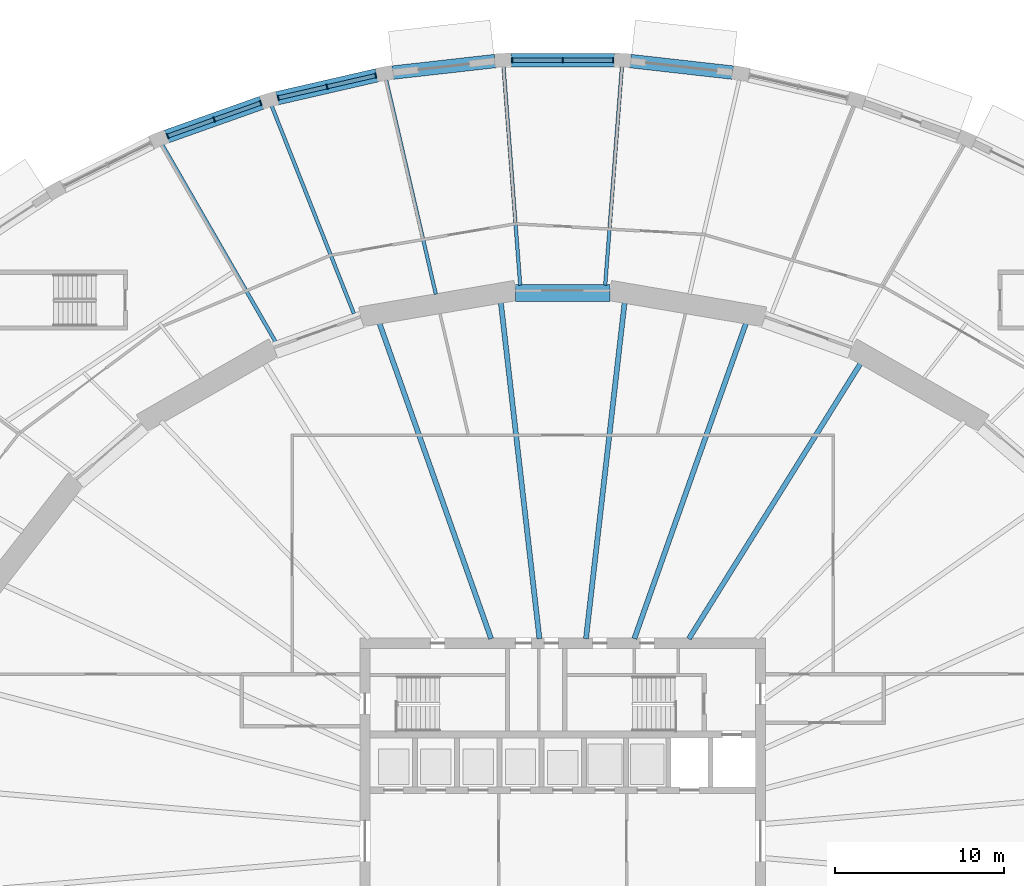
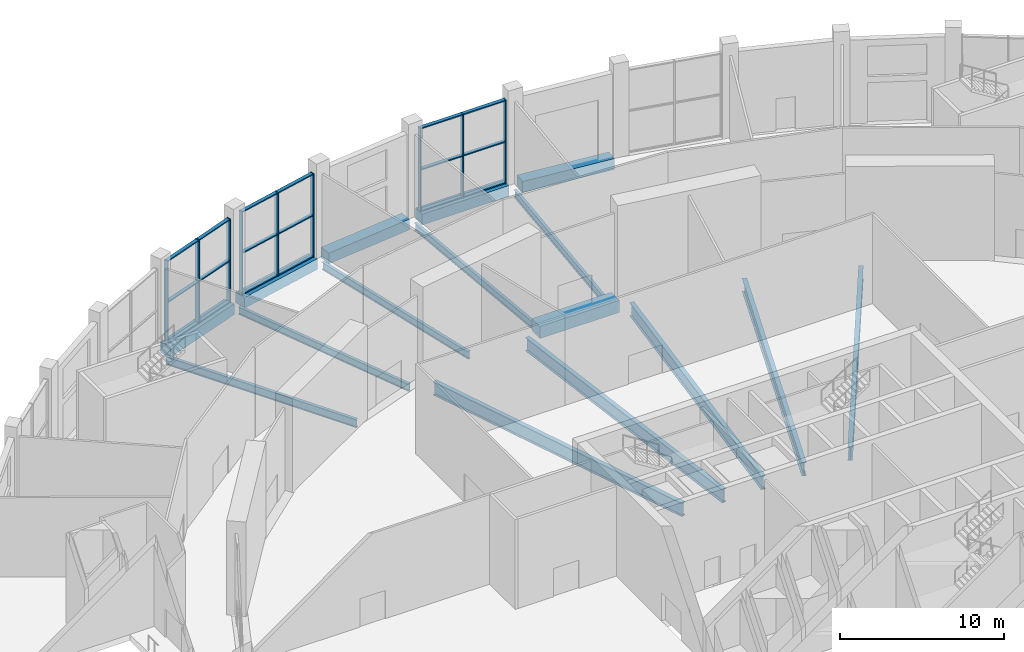
# One storey, part 12 of 33: 27 members, 16 beams, 3 elements without a shape of their own.
"""IFC4 building model written with IfcOpenShell, lengths in metres."""

from ifc_helpers import new_model, si_unit, direction, frame, origin, origin_2d, place, context, subcontext, project, spatial, rectangle, i_section, extrude, material, material_profile, profile_set, type_object, element, aggregate, save


model = new_model("IFC4")

# Units and contexts
model_context = context("Model", 3, precision=1e-05, world=origin(), true_north=direction((0.0, 1.0)))
body_context = subcontext(model_context, "Body", "Model", "MODEL_VIEW")
ifc_project = project(units=[si_unit("LENGTHUNIT", "METRE"), si_unit("AREAUNIT", "SQUARE_METRE"), si_unit("VOLUMEUNIT", "CUBIC_METRE"), si_unit("PLANEANGLEUNIT", "RADIAN"), si_unit("MASSUNIT", "GRAM", prefix="KILO")], contexts=[model_context])

# Site, building, storey
site_placement = place(None, origin())
site = spatial("IfcSite", under=ifc_project, at=site_placement, CompositionType="ELEMENT")
building_placement = place(site_placement, origin())
building = spatial("IfcBuilding", under=site, at=building_placement, Name="Halqa Exchange Tower", CompositionType="ELEMENT")
storey_placement = place(building_placement, origin())
storey = spatial("IfcBuildingStorey", under=building, at=storey_placement, Name="L00", CompositionType="ELEMENT", Elevation=0.0)

# Beams
ifc_material_1 = material(Name="Steel S355", Category="steel")
ifc_material_profile_1 = material_profile(ifc_material_1, i_section(OverallWidth=0.300048828125, OverallDepth=0.989990234375, WebThickness=0.0166015625, FlangeThickness=0.031005859375, FilletRadius=0.030029296875, at=origin_2d()), Name="HEA 1000")
ifc_profile_set_1 = profile_set([ifc_material_profile_1], Name="Steel S355")
beam_type_1 = type_object("IfcBeamType", Name="Floor beam HEA 1000", PredefinedType="BEAM", material=ifc_profile_set_1)
beam_1_placement = place(storey_placement, frame((7.46533203125, 11.971435546875, -0.945068359375), z_axis=(0.529145823441, 0.848530905468, 0.0), x_axis=(-0.848530905468, 0.529145823441, 0.0)))
element("IfcBeam", 1, at=beam_1_placement, inside=storey, type_object=beam_type_1, Name="Radial beam 6", PredefinedType="BEAM", context=body_context, shape_type="SweptSolid", body=[
    extrude(i_section(OverallWidth=0.300048828125, OverallDepth=0.989990234375, WebThickness=0.0166015625, FlangeThickness=0.031005859375, FilletRadius=0.030029296875, at=origin_2d()), origin(), (0.0, 0.0, 1.0), 19.27294921875),
])
ifc_material_profile_2 = material_profile(ifc_material_1, i_section(OverallWidth=0.300048828125, OverallDepth=1.0, WebThickness=0.01904296875, FlangeThickness=0.035888671875, FilletRadius=0.030029296875, at=origin_2d()), Name="HEB 1000")
ifc_profile_set_2 = profile_set([ifc_material_profile_2], Name="Steel S355")
beam_type_2 = type_object("IfcBeamType", Name="Floor beam HEB 1000", PredefinedType="BEAM", material=ifc_profile_set_2)
beam_2_placement = place(storey_placement, frame((4.23681640625, 11.971923828125, -0.949951171875), z_axis=(0.333633039334, 0.942703025913, 0.0), x_axis=(-0.942703025913, 0.333633039334, 0.0)))
element("IfcBeam", 2, at=beam_2_placement, inside=storey, type_object=beam_type_2, Name="Radial beam 7", PredefinedType="BEAM", context=body_context, shape_type="SweptSolid", body=[
    extrude(i_section(OverallWidth=0.300048828125, OverallDepth=1.0, WebThickness=0.01904296875, FlangeThickness=0.035888671875, FilletRadius=0.030029296875, at=origin_2d()), origin(), (0.0, 0.0, 1.0), 19.885009765625),
])
for number, where, z_axis, x_axis, name in (
    (3, (1.375732421875, 11.972900390625, -0.949951171875), (0.114166838833, 0.99346159106, 0.0), (-0.99346159106, 0.114166838833, 0.0), "Radial beam 8"),
    (4, (-1.375732421875, 11.972900390625, -0.949951171875), (-0.114166838833, 0.99346159106, 0.0), (-0.99346159106, -0.114166838833, 0.0), "Radial beam 9"),
):
    element("IfcBeam", number, at=place(storey_placement, frame(where, z_axis=z_axis, x_axis=x_axis)), inside=storey, type_object=beam_type_2, Name=name, PredefinedType="BEAM", context=body_context, shape_type="SweptSolid", body=[
        extrude(i_section(OverallWidth=0.300048828125, OverallDepth=1.0, WebThickness=0.01904296875, FlangeThickness=0.035888671875, FilletRadius=0.030029296875, at=origin_2d()), origin(), (0.0, 0.0, 1.0), 20.103515625),
    ])
beam_3_placement = place(storey_placement, frame((-4.23681640625, 11.971923828125, -0.949951171875), z_axis=(-0.333633039334, 0.942703025913, 0.0), x_axis=(-0.942703025913, -0.333633039334, 0.0)))
element("IfcBeam", 5, at=beam_3_placement, inside=storey, type_object=beam_type_2, Name="Radial beam 10", PredefinedType="BEAM", context=body_context, shape_type="SweptSolid", body=[
    extrude(i_section(OverallWidth=0.300048828125, OverallDepth=1.0, WebThickness=0.01904296875, FlangeThickness=0.035888671875, FilletRadius=0.030029296875, at=origin_2d()), origin(), (0.0, 0.0, 1.0), 19.885009765625),
])
ifc_material_profile_3 = material_profile(ifc_material_1, i_section(OverallWidth=0.2099609375, OverallDepth=0.550048828125, WebThickness=0.010986328125, FlangeThickness=0.01708984375, FilletRadius=0.02392578125, at=origin_2d()), Name="IPE 550")
ifc_profile_set_3 = profile_set([ifc_material_profile_3], Name="Steel S355")
beam_type_3 = type_object("IfcBeamType", Name="Floor beam IPE 550", PredefinedType="BEAM", material=ifc_profile_set_3)
for number, where, z_axis, x_axis, name in (
    (6, (2.513916015625, 32.88623046875, -0.72509765625), (0.076223337155, 0.997090769626, 0.0), (-0.997090769626, 0.076223337155, 0.0), "Radial beam 12"),
    (7, (-2.513916015625, 32.88623046875, -0.72509765625), (-0.076223337155, 0.997090769626, 0.0), (-0.997090769626, -0.076223337155, 0.0), "Radial beam 13"),
):
    element("IfcBeam", number, at=place(storey_placement, frame(where, z_axis=z_axis, x_axis=x_axis)), inside=storey, type_object=beam_type_3, Name=name, PredefinedType="BEAM", context=body_context, shape_type="SweptSolid", body=[
        extrude(i_section(OverallWidth=0.2099609375, OverallDepth=0.550048828125, WebThickness=0.010986328125, FlangeThickness=0.01708984375, FilletRadius=0.02392578125, at=origin_2d()), origin(), (0.0, 0.0, 1.0), 12.981689453125),
    ])
beam_4_placement = place(storey_placement, frame((-7.5048828125, 32.35009765625, -0.72509765625), z_axis=(-0.2259960959, 0.974128207495, 0.0), x_axis=(-0.974128207495, -0.2259960959, 0.0)))
element("IfcBeam", 8, at=beam_4_placement, inside=storey, type_object=beam_type_3, Name="Radial beam 14", PredefinedType="BEAM", context=body_context, shape_type="SweptSolid", body=[
    extrude(i_section(OverallWidth=0.2099609375, OverallDepth=0.550048828125, WebThickness=0.010986328125, FlangeThickness=0.01708984375, FilletRadius=0.02392578125, at=origin_2d()), origin(), (0.0, 0.0, 1.0), 13.03466796875),
])
beam_5_placement = place(storey_placement, frame((-12.352294921875, 31.2001953125, -0.72509765625), z_axis=(-0.368106640822, 0.929783577497, 0.0), x_axis=(-0.929783577497, -0.368106640822, 0.0)))
element("IfcBeam", 9, at=beam_5_placement, inside=storey, type_object=beam_type_3, Name="Radial beam 15", PredefinedType="BEAM", context=body_context, shape_type="SweptSolid", body=[
    extrude(i_section(OverallWidth=0.2099609375, OverallDepth=0.550048828125, WebThickness=0.010986328125, FlangeThickness=0.01708984375, FilletRadius=0.02392578125, at=origin_2d()), origin(), (0.0, 0.0, 1.0), 13.22412109375),
])
ifc_material_profile_4 = material_profile(ifc_material_1, i_section(OverallWidth=0.219970703125, OverallDepth=0.60009765625, WebThickness=0.011962890625, FlangeThickness=0.01904296875, FilletRadius=0.02392578125, at=origin_2d()), Name="IPE 600")
ifc_profile_set_4 = profile_set([ifc_material_profile_4], Name="Steel S355")
beam_type_4 = type_object("IfcBeamType", Name="Floor beam IPE 600", PredefinedType="BEAM", material=ifc_profile_set_4)
beam_6_placement = place(storey_placement, frame((-16.996826171875, 29.551513671875, -0.75), z_axis=(-0.498570786865, 0.866848989435, 0.0), x_axis=(-0.866848989435, -0.498570786865, 0.0)))
element("IfcBeam", 10, at=beam_6_placement, inside=storey, type_object=beam_type_4, Name="Radial beam 16", PredefinedType="BEAM", context=body_context, shape_type="SweptSolid", body=[
    extrude(i_section(OverallWidth=0.219970703125, OverallDepth=0.60009765625, WebThickness=0.011962890625, FlangeThickness=0.01904296875, FilletRadius=0.02392578125, at=origin_2d()), origin(), (0.0, 0.0, 1.0), 13.438720703125),
])
ifc_material_2 = material(Name="Concrete C60/75", Category="concrete")
ifc_material_profile_5 = material_profile(ifc_material_2, rectangle(XDim=0.800048828125, YDim=0.800048828125, at=origin_2d()), Name="800 x 800")
ifc_profile_set_5 = profile_set([ifc_material_profile_5], Name="Concrete C60/75")
beam_type_5 = type_object("IfcBeamType", Name="RC podium edge beam 800 x 800 C60/75", PredefinedType="SPANDREL", material=ifc_profile_set_5)
beam_7_placement = place(storey_placement, frame((10.064453125, 45.46337890625, -0.39990234375), z_axis=(-0.993688954696, 0.112170679393, 0.0), x_axis=(-0.112170679393, -0.993688954696, 0.0)))
element("IfcBeam", 11, at=beam_7_placement, inside=storey, type_object=beam_type_5, Name="Podium edge beam 11", PredefinedType="SPANDREL", context=body_context, shape_type="SweptSolid", body=[
    extrude(rectangle(XDim=0.800048828125, YDim=0.800048828125, at=origin_2d()), origin(), (0.0, 0.0, 1.0), 6.100830078125),
])
beam_8_placement = place(storey_placement, frame((3.05859375, 46.200927734375, -0.39990234375), z_axis=(-1.0, 0.0, 0.0), x_axis=(0.0, -1.0, 0.0)))
element("IfcBeam", 12, at=beam_8_placement, inside=storey, type_object=beam_type_5, Name="Podium edge beam 12", PredefinedType="SPANDREL", context=body_context, shape_type="SweptSolid", body=[
    extrude(rectangle(XDim=0.800048828125, YDim=0.800048828125, at=origin_2d()), origin(), (0.0, 0.0, 1.0), 6.1171875),
])
beam_9_placement = place(storey_placement, frame((-4.002197265625, 46.147705078125, -0.39990234375), z_axis=(-0.993688954696, -0.112170679393, 0.0), x_axis=(0.112170679393, -0.993688954696, 0.0)))
element("IfcBeam", 13, at=beam_9_placement, inside=storey, type_object=beam_type_5, Name="Podium edge beam 13", PredefinedType="SPANDREL", context=body_context, shape_type="SweptSolid", body=[
    extrude(rectangle(XDim=0.800048828125, YDim=0.800048828125, at=origin_2d()), origin(), (0.0, 0.0, 1.0), 6.100830078125),
])
beam_10_placement = place(storey_placement, frame((-10.99658203125, 45.304443359375, -0.39990234375), z_axis=(-0.974604133477, -0.223934774008, 0.0), x_axis=(0.223934774008, -0.974604133477, 0.0)))
element("IfcBeam", 14, at=beam_10_placement, inside=storey, type_object=beam_type_5, Name="Podium edge beam 14", PredefinedType="SPANDREL", context=body_context, shape_type="SweptSolid", body=[
    extrude(rectangle(XDim=0.800048828125, YDim=0.800048828125, at=origin_2d()), origin(), (0.0, 0.0, 1.0), 6.05517578125),
])
beam_11_placement = place(storey_placement, frame((-17.802490234375, 43.684814453125, -0.39990234375), z_axis=(-0.942343471221, -0.334647250469, 0.0), x_axis=(0.334647250469, -0.942343471221, 0.0)))
element("IfcBeam", 15, at=beam_11_placement, inside=storey, type_object=beam_type_5, Name="Podium edge beam 15", PredefinedType="SPANDREL", context=body_context, shape_type="SweptSolid", body=[
    extrude(rectangle(XDim=0.800048828125, YDim=0.800048828125, at=origin_2d()), origin(), (0.0, 0.0, 1.0), 5.980712890625),
])
ifc_material_profile_6 = material_profile(ifc_material_2, rectangle(XDim=1.0, YDim=0.89990234375, at=origin_2d()), Name="1000 x 900")
ifc_profile_set_6 = profile_set([ifc_material_profile_6], Name="Concrete C60/75")
beam_type_6 = type_object("IfcBeamType", Name="RC spandrel beam 1000 x 900 C60/75", PredefinedType="SPANDREL", material=ifc_profile_set_6)
beam_12_placement = place(storey_placement, frame((2.789794921875, 32.41455078125, -0.449951171875), z_axis=(-1.0, 0.0, 0.0), x_axis=(0.0, -1.0, 0.0)))
element("IfcBeam", 16, at=beam_12_placement, inside=storey, type_object=beam_type_6, Name="Spandrel 8", PredefinedType="SPANDREL", context=body_context, shape_type="SweptSolid", body=[
    extrude(rectangle(XDim=1.0, YDim=0.89990234375, at=origin_2d()), origin(), (0.0, 0.0, 1.0), 5.57958984375),
])

# Curtain wall, members
ifc_material_3 = material(Name="Anodised aluminium and clear glass", Category="aluminium")
curtain_wall_type = type_object("IfcCurtainWallType", Name="Station concourse glazing", PredefinedType="NOTDEFINED", material=ifc_material_3)
curtain_wall_1_placement = place(storey_placement, origin())
curtain_wall_1 = element("IfcCurtainWall", 17, at=curtain_wall_1_placement, inside=storey, type_object=curtain_wall_type, Name="Station concourse glazing run P12", PredefinedType="NOTDEFINED")
ifc_material_4 = material(Name="Anodised aluminium", Category="aluminium")
ifc_material_profile_7 = material_profile(ifc_material_4, rectangle(XDim=0.300048828125, YDim=0.080078125, at=origin_2d()), Name="AL 80x300")
ifc_profile_set_7 = profile_set([ifc_material_profile_7], Name="Anodised aluminium")
member_type_1 = type_object("IfcMemberType", Name="Station concourse glazing mullion 80 x 300", PredefinedType="MULLION", material=ifc_profile_set_7)
member_1_placement = place(storey_placement, frame((2.99169921875, 46.200927734375, 0.0), z_axis=(0.0, 0.0, 1.0), x_axis=(0.0, -1.0, 0.0)))
member_1 = element("IfcMember", 18, at=member_1_placement, type_object=member_type_1, Name="P12 mullion 1", PredefinedType="MULLION", context=body_context, shape_type="SweptSolid", body=[
    extrude(rectangle(XDim=0.300048828125, YDim=0.080078125, at=origin_2d()), origin(), (0.0, 0.0, 1.0), 6.199951171875),
])
member_2_placement = place(storey_placement, frame((0.0, 46.200927734375, 0.0), z_axis=(0.0, 0.0, 1.0), x_axis=(0.0, -1.0, 0.0)))
member_2 = element("IfcMember", 19, at=member_2_placement, type_object=member_type_1, Name="P12 mullion 2", PredefinedType="MULLION", context=body_context, shape_type="SweptSolid", body=[
    extrude(rectangle(XDim=0.300048828125, YDim=0.080078125, at=origin_2d()), origin(), (0.0, 0.0, 1.0), 6.199951171875),
])
member_3_placement = place(storey_placement, frame((-2.99169921875, 46.200927734375, 0.0), z_axis=(0.0, 0.0, 1.0), x_axis=(0.0, -1.0, 0.0)))
member_3 = element("IfcMember", 20, at=member_3_placement, type_object=member_type_1, Name="P12 mullion 3", PredefinedType="MULLION", context=body_context, shape_type="SweptSolid", body=[
    extrude(rectangle(XDim=0.300048828125, YDim=0.080078125, at=origin_2d()), origin(), (0.0, 0.0, 1.0), 6.199951171875),
])

curtain_wall_2_placement = place(storey_placement, origin())
curtain_wall_2 = element("IfcCurtainWall", 21, at=curtain_wall_2_placement, inside=storey, type_object=curtain_wall_type, Name="Station concourse glazing run P14", PredefinedType="NOTDEFINED")
member_4_placement = place(storey_placement, frame((-11.061279296875, 45.28955078125, 0.0), z_axis=(0.0, 0.0, 1.0), x_axis=(0.223896655269, -0.974612891234, 0.0)))
member_4 = element("IfcMember", 22, at=member_4_placement, type_object=member_type_1, Name="P14 mullion 1", PredefinedType="MULLION", context=body_context, shape_type="SweptSolid", body=[
    extrude(rectangle(XDim=0.300048828125, YDim=0.080078125, at=origin_2d()), origin(), (0.0, 0.0, 1.0), 6.199951171875),
])
member_5_placement = place(storey_placement, frame((-13.9462890625, 44.626708984375, 0.0), z_axis=(0.0, 0.0, 1.0), x_axis=(0.223896655269, -0.974612891234, 0.0)))
member_5 = element("IfcMember", 23, at=member_5_placement, type_object=member_type_1, Name="P14 mullion 2", PredefinedType="MULLION", context=body_context, shape_type="SweptSolid", body=[
    extrude(rectangle(XDim=0.300048828125, YDim=0.080078125, at=origin_2d()), origin(), (0.0, 0.0, 1.0), 6.199951171875),
])
member_6_placement = place(storey_placement, frame((-16.831298828125, 43.9638671875, 0.0), z_axis=(0.0, 0.0, 1.0), x_axis=(0.223896655269, -0.974612891234, 0.0)))
member_6 = element("IfcMember", 24, at=member_6_placement, type_object=member_type_1, Name="P14 mullion 3", PredefinedType="MULLION", context=body_context, shape_type="SweptSolid", body=[
    extrude(rectangle(XDim=0.300048828125, YDim=0.080078125, at=origin_2d()), origin(), (0.0, 0.0, 1.0), 6.199951171875),
])

curtain_wall_3_placement = place(storey_placement, origin())
curtain_wall_3 = element("IfcCurtainWall", 25, at=curtain_wall_3_placement, inside=storey, type_object=curtain_wall_type, Name="Station concourse glazing run P15", PredefinedType="NOTDEFINED")
member_7_placement = place(storey_placement, frame((-17.86669921875, 43.662109375, 0.0), z_axis=(0.0, 0.0, 1.0), x_axis=(0.334688348326, -0.942328875444, 0.0)))
member_7 = element("IfcMember", 26, at=member_7_placement, type_object=member_type_1, Name="P15 mullion 1", PredefinedType="MULLION", context=body_context, shape_type="SweptSolid", body=[
    extrude(rectangle(XDim=0.300048828125, YDim=0.080078125, at=origin_2d()), origin(), (0.0, 0.0, 1.0), 6.199951171875),
])
member_8_placement = place(storey_placement, frame((-20.62060546875, 42.68408203125, 0.0), z_axis=(0.0, 0.0, 1.0), x_axis=(0.334688348326, -0.942328875444, 0.0)))
member_8 = element("IfcMember", 27, at=member_8_placement, type_object=member_type_1, Name="P15 mullion 2", PredefinedType="MULLION", context=body_context, shape_type="SweptSolid", body=[
    extrude(rectangle(XDim=0.300048828125, YDim=0.080078125, at=origin_2d()), origin(), (0.0, 0.0, 1.0), 6.199951171875),
])
member_9_placement = place(storey_placement, frame((-23.374755859375, 41.705810546875, 0.0), z_axis=(0.0, 0.0, 1.0), x_axis=(0.334688348326, -0.942328875444, 0.0)))
member_9 = element("IfcMember", 28, at=member_9_placement, type_object=member_type_1, Name="P15 mullion 3", PredefinedType="MULLION", context=body_context, shape_type="SweptSolid", body=[
    extrude(rectangle(XDim=0.300048828125, YDim=0.080078125, at=origin_2d()), origin(), (0.0, 0.0, 1.0), 6.199951171875),
])

# Member
ifc_material_profile_8 = material_profile(ifc_material_4, rectangle(XDim=0.25, YDim=0.080078125, at=origin_2d()), Name="AL 80x250")
ifc_profile_set_8 = profile_set([ifc_material_profile_8], Name="Anodised aluminium")
member_type_2 = type_object("IfcMemberType", Name="Station concourse glazing transom 80 x 250", PredefinedType="USERDEFINED", material=ifc_profile_set_8)
member_10_placement = place(storey_placement, frame((2.951904296875, 46.200927734375, 0.0400390625), z_axis=(-1.0, 0.0, 0.0), x_axis=(0.0, -1.0, 0.0)))
member_10 = element("IfcMember", 29, at=member_10_placement, type_object=member_type_2, Name="P12 transom 1.1", ObjectType="TRANSOM", PredefinedType="USERDEFINED", context=body_context, shape_type="SweptSolid", body=[
    extrude(rectangle(XDim=0.25, YDim=0.080078125, at=origin_2d()), origin(), (0.0, 0.0, 1.0), 2.911865234375),
])

member_11_placement = place(storey_placement, frame((2.951904296875, 46.200927734375, 3.10009765625), z_axis=(-1.0, 0.0, 0.0), x_axis=(0.0, -1.0, 0.0)))
member_11 = element("IfcMember", 30, at=member_11_placement, type_object=member_type_2, Name="P12 transom 1.2", ObjectType="TRANSOM", PredefinedType="USERDEFINED", context=body_context, shape_type="SweptSolid", body=[
    extrude(rectangle(XDim=0.25, YDim=0.080078125, at=origin_2d()), origin(), (0.0, 0.0, 1.0), 2.911865234375),
])

member_12_placement = place(storey_placement, frame((2.951904296875, 46.200927734375, 6.159912109375), z_axis=(-1.0, 0.0, 0.0), x_axis=(0.0, -1.0, 0.0)))
member_12 = element("IfcMember", 31, at=member_12_placement, type_object=member_type_2, Name="P12 transom 1.3", ObjectType="TRANSOM", PredefinedType="USERDEFINED", context=body_context, shape_type="SweptSolid", body=[
    extrude(rectangle(XDim=0.25, YDim=0.080078125, at=origin_2d()), origin(), (0.0, 0.0, 1.0), 2.911865234375),
])

member_13_placement = place(storey_placement, frame((-0.0400390625, 46.200927734375, 0.0400390625), z_axis=(-1.0, 0.0, 0.0), x_axis=(0.0, -1.0, 0.0)))
member_13 = element("IfcMember", 32, at=member_13_placement, type_object=member_type_2, Name="P12 transom 2.1", ObjectType="TRANSOM", PredefinedType="USERDEFINED", context=body_context, shape_type="SweptSolid", body=[
    extrude(rectangle(XDim=0.25, YDim=0.080078125, at=origin_2d()), origin(), (0.0, 0.0, 1.0), 2.911865234375),
])

member_14_placement = place(storey_placement, frame((-0.0400390625, 46.200927734375, 3.10009765625), z_axis=(-1.0, 0.0, 0.0), x_axis=(0.0, -1.0, 0.0)))
member_14 = element("IfcMember", 33, at=member_14_placement, type_object=member_type_2, Name="P12 transom 2.2", ObjectType="TRANSOM", PredefinedType="USERDEFINED", context=body_context, shape_type="SweptSolid", body=[
    extrude(rectangle(XDim=0.25, YDim=0.080078125, at=origin_2d()), origin(), (0.0, 0.0, 1.0), 2.911865234375),
])

member_15_placement = place(storey_placement, frame((-0.0400390625, 46.200927734375, 6.159912109375), z_axis=(-1.0, 0.0, 0.0), x_axis=(0.0, -1.0, 0.0)))
member_15 = element("IfcMember", 34, at=member_15_placement, type_object=member_type_2, Name="P12 transom 2.3", ObjectType="TRANSOM", PredefinedType="USERDEFINED", context=body_context, shape_type="SweptSolid", body=[
    extrude(rectangle(XDim=0.25, YDim=0.080078125, at=origin_2d()), origin(), (0.0, 0.0, 1.0), 2.911865234375),
])

aggregate(curtain_wall_1, [member_1, member_2, member_3, member_10, member_11, member_12, member_13, member_14, member_15])

member_16_placement = place(storey_placement, frame((-11.10009765625, 45.280517578125, 0.0400390625), z_axis=(-0.974602195653, -0.223943207594, 0.0), x_axis=(0.223943207594, -0.974602195653, 0.0)))
member_16 = element("IfcMember", 35, at=member_16_placement, type_object=member_type_2, Name="P14 transom 1.1", ObjectType="TRANSOM", PredefinedType="USERDEFINED", context=body_context, shape_type="SweptSolid", body=[
    extrude(rectangle(XDim=0.25, YDim=0.080078125, at=origin_2d()), origin(), (0.0, 0.0, 1.0), 2.88037109375),
])

member_17_placement = place(storey_placement, frame((-11.10009765625, 45.280517578125, 3.10009765625), z_axis=(-0.974602195653, -0.223943207594, 0.0), x_axis=(0.223943207594, -0.974602195653, 0.0)))
member_17 = element("IfcMember", 36, at=member_17_placement, type_object=member_type_2, Name="P14 transom 1.2", ObjectType="TRANSOM", PredefinedType="USERDEFINED", context=body_context, shape_type="SweptSolid", body=[
    extrude(rectangle(XDim=0.25, YDim=0.080078125, at=origin_2d()), origin(), (0.0, 0.0, 1.0), 2.88037109375),
])

member_18_placement = place(storey_placement, frame((-11.10009765625, 45.280517578125, 6.159912109375), z_axis=(-0.974602195653, -0.223943207594, 0.0), x_axis=(0.223943207594, -0.974602195653, 0.0)))
member_18 = element("IfcMember", 37, at=member_18_placement, type_object=member_type_2, Name="P14 transom 1.3", ObjectType="TRANSOM", PredefinedType="USERDEFINED", context=body_context, shape_type="SweptSolid", body=[
    extrude(rectangle(XDim=0.25, YDim=0.080078125, at=origin_2d()), origin(), (0.0, 0.0, 1.0), 2.88037109375),
])

member_19_placement = place(storey_placement, frame((-13.9853515625, 44.61767578125, 0.0400390625), z_axis=(-0.974620692621, -0.223862693443, 0.0), x_axis=(0.223862693443, -0.974620692621, 0.0)))
member_19 = element("IfcMember", 38, at=member_19_placement, type_object=member_type_2, Name="P14 transom 2.1", ObjectType="TRANSOM", PredefinedType="USERDEFINED", context=body_context, shape_type="SweptSolid", body=[
    extrude(rectangle(XDim=0.25, YDim=0.080078125, at=origin_2d()), origin(), (0.0, 0.0, 1.0), 2.880126953125),
])

member_20_placement = place(storey_placement, frame((-13.9853515625, 44.61767578125, 3.10009765625), z_axis=(-0.974620692621, -0.223862693443, 0.0), x_axis=(0.223862693443, -0.974620692621, 0.0)))
member_20 = element("IfcMember", 39, at=member_20_placement, type_object=member_type_2, Name="P14 transom 2.2", ObjectType="TRANSOM", PredefinedType="USERDEFINED", context=body_context, shape_type="SweptSolid", body=[
    extrude(rectangle(XDim=0.25, YDim=0.080078125, at=origin_2d()), origin(), (0.0, 0.0, 1.0), 2.880126953125),
])

member_21_placement = place(storey_placement, frame((-13.9853515625, 44.61767578125, 6.159912109375), z_axis=(-0.974620692621, -0.223862693443, 0.0), x_axis=(0.223862693443, -0.974620692621, 0.0)))
member_21 = element("IfcMember", 40, at=member_21_placement, type_object=member_type_2, Name="P14 transom 2.3", ObjectType="TRANSOM", PredefinedType="USERDEFINED", context=body_context, shape_type="SweptSolid", body=[
    extrude(rectangle(XDim=0.25, YDim=0.080078125, at=origin_2d()), origin(), (0.0, 0.0, 1.0), 2.880126953125),
])

aggregate(curtain_wall_2, [member_4, member_5, member_6, member_16, member_17, member_18, member_19, member_20, member_21])

member_22_placement = place(storey_placement, frame((-17.904296875, 43.64892578125, 0.0400390625), z_axis=(-0.942327292473, -0.33469280521, 0.0), x_axis=(0.33469280521, -0.942327292473, 0.0)))
member_22 = element("IfcMember", 41, at=member_22_placement, type_object=member_type_2, Name="P15 transom 1.1", ObjectType="TRANSOM", PredefinedType="USERDEFINED", context=body_context, shape_type="SweptSolid", body=[
    extrude(rectangle(XDim=0.25, YDim=0.080078125, at=origin_2d()), origin(), (0.0, 0.0, 1.0), 2.8427734375),
])

member_23_placement = place(storey_placement, frame((-17.904296875, 43.64892578125, 3.10009765625), z_axis=(-0.942327292473, -0.33469280521, 0.0), x_axis=(0.33469280521, -0.942327292473, 0.0)))
member_23 = element("IfcMember", 42, at=member_23_placement, type_object=member_type_2, Name="P15 transom 1.2", ObjectType="TRANSOM", PredefinedType="USERDEFINED", context=body_context, shape_type="SweptSolid", body=[
    extrude(rectangle(XDim=0.25, YDim=0.080078125, at=origin_2d()), origin(), (0.0, 0.0, 1.0), 2.8427734375),
])

member_24_placement = place(storey_placement, frame((-17.904296875, 43.64892578125, 6.159912109375), z_axis=(-0.942327292473, -0.33469280521, 0.0), x_axis=(0.33469280521, -0.942327292473, 0.0)))
member_24 = element("IfcMember", 43, at=member_24_placement, type_object=member_type_2, Name="P15 transom 1.3", ObjectType="TRANSOM", PredefinedType="USERDEFINED", context=body_context, shape_type="SweptSolid", body=[
    extrude(rectangle(XDim=0.25, YDim=0.080078125, at=origin_2d()), origin(), (0.0, 0.0, 1.0), 2.8427734375),
])

member_25_placement = place(storey_placement, frame((-20.658447265625, 42.670654296875, 0.0400390625), z_axis=(-0.94231767056, -0.334719894465, 0.0), x_axis=(0.334719894465, -0.94231767056, 0.0)))
member_25 = element("IfcMember", 44, at=member_25_placement, type_object=member_type_2, Name="P15 transom 2.1", ObjectType="TRANSOM", PredefinedType="USERDEFINED", context=body_context, shape_type="SweptSolid", body=[
    extrude(rectangle(XDim=0.25, YDim=0.080078125, at=origin_2d()), origin(), (0.0, 0.0, 1.0), 2.842529296875),
])

member_26_placement = place(storey_placement, frame((-20.658447265625, 42.670654296875, 3.10009765625), z_axis=(-0.94231767056, -0.334719894465, 0.0), x_axis=(0.334719894465, -0.94231767056, 0.0)))
member_26 = element("IfcMember", 45, at=member_26_placement, type_object=member_type_2, Name="P15 transom 2.2", ObjectType="TRANSOM", PredefinedType="USERDEFINED", context=body_context, shape_type="SweptSolid", body=[
    extrude(rectangle(XDim=0.25, YDim=0.080078125, at=origin_2d()), origin(), (0.0, 0.0, 1.0), 2.842529296875),
])

member_27_placement = place(storey_placement, frame((-20.658447265625, 42.670654296875, 6.159912109375), z_axis=(-0.94231767056, -0.334719894465, 0.0), x_axis=(0.334719894465, -0.94231767056, 0.0)))
member_27 = element("IfcMember", 46, at=member_27_placement, type_object=member_type_2, Name="P15 transom 2.3", ObjectType="TRANSOM", PredefinedType="USERDEFINED", context=body_context, shape_type="SweptSolid", body=[
    extrude(rectangle(XDim=0.25, YDim=0.080078125, at=origin_2d()), origin(), (0.0, 0.0, 1.0), 2.842529296875),
])

aggregate(curtain_wall_3, [member_7, member_8, member_9, member_22, member_23, member_24, member_25, member_26, member_27])

save(model, "model.ifc")
